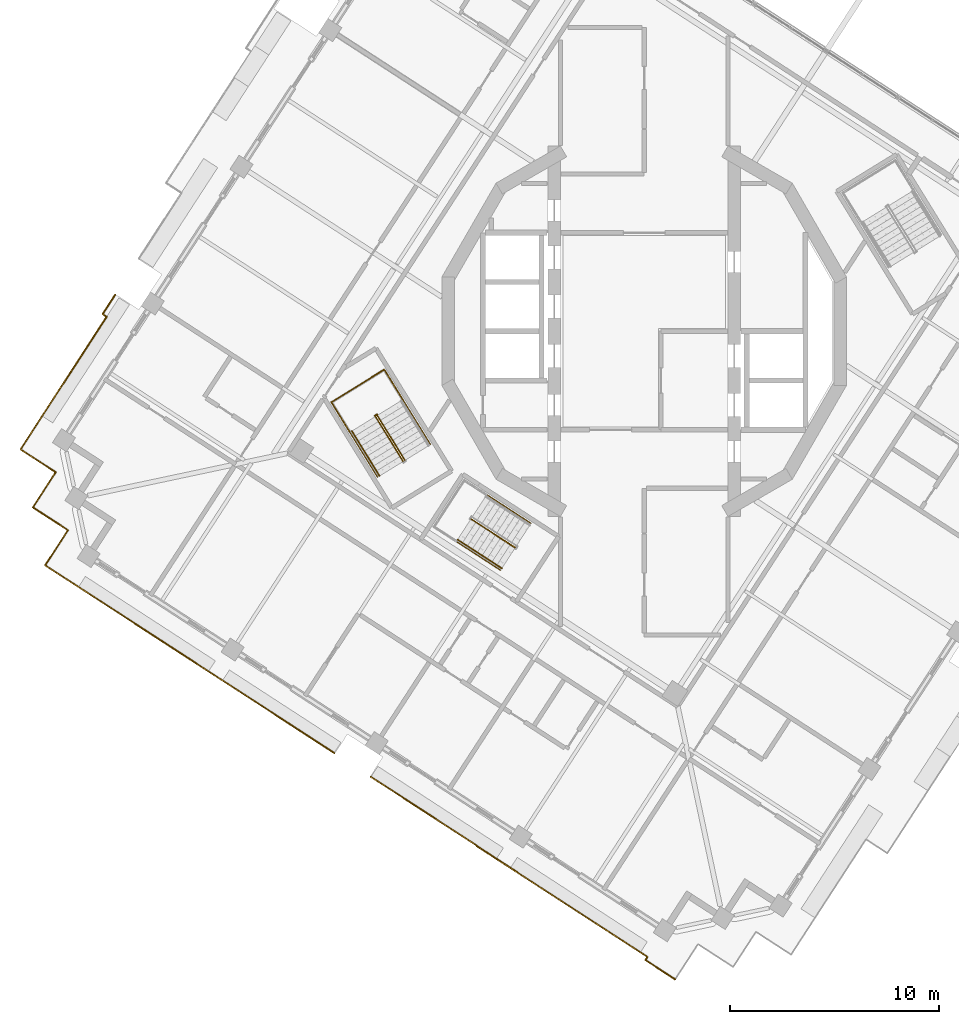
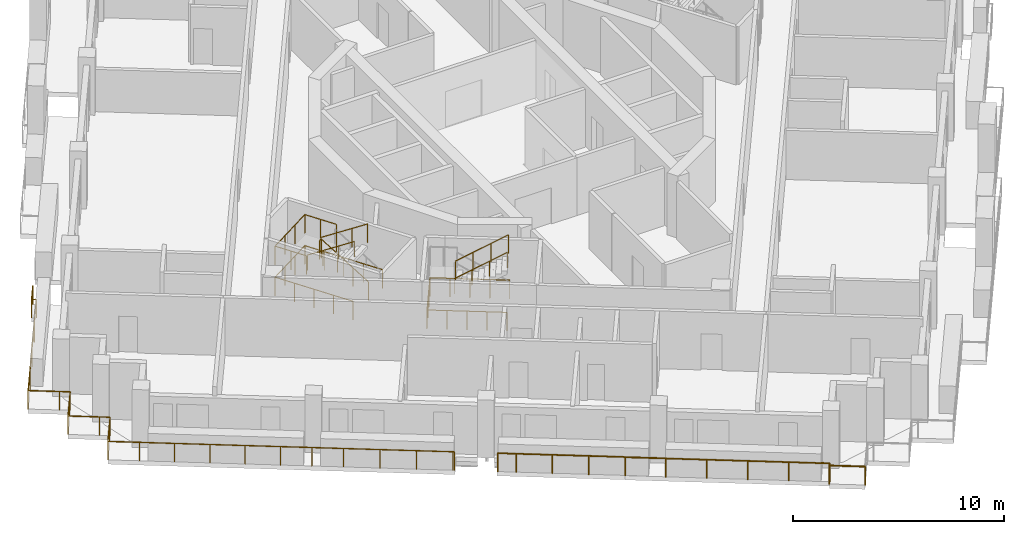
# One storey, part 13 of 17: 11 railings.
"""IFC4 building model written with IfcOpenShell, lengths in metres."""

from ifc_helpers import new_model, si_unit, direction, frame, origin, origin_2d, place, context, subcontext, project, spatial, circle, extrude, material, type_object, element, save


model = new_model("IFC4")

# Units and contexts
model_context = context("Model", 3, precision=1e-05, world=origin(), true_north=direction((0.0, 1.0)))
body_context = subcontext(model_context, "Body", "Model", "MODEL_VIEW")
ifc_project = project(units=[si_unit("LENGTHUNIT", "METRE"), si_unit("AREAUNIT", "SQUARE_METRE"), si_unit("VOLUMEUNIT", "CUBIC_METRE"), si_unit("PLANEANGLEUNIT", "RADIAN"), si_unit("MASSUNIT", "GRAM", prefix="KILO")], contexts=[model_context])

# Site, building, storey
site_placement = place(None, origin())
site = spatial("IfcSite", under=ifc_project, at=site_placement, CompositionType="ELEMENT")
building_placement = place(site_placement, origin())
building = spatial("IfcBuilding", under=site, at=building_placement, Name="Cantera Rosa Tower", CompositionType="ELEMENT")
storey_placement = place(building_placement, frame((0.0, 0.0, 279.300048828125)))
storey = spatial("IfcBuildingStorey", under=building, at=storey_placement, Name="L63", CompositionType="ELEMENT", Elevation=279.300048828125)

# Railings
ifc_material_1 = material(Name="Stainless steel and laminated glass", Category="steel")
railing_type_1 = type_object("IfcRailingType", Name="GUARD 1100", PredefinedType="BALUSTRADE", material=ifc_material_1)
railing_1_placement = place(storey_placement, frame((-28.3720703125, -7.151123046875, 0.0)))
element("IfcRailing", 1, at=railing_1_placement, inside=storey, type_object=railing_type_1, Name="GUARD L63-1", PredefinedType="BALUSTRADE", context=body_context, shape_type="SweptSolid", body=[
    extrude(circle(Radius=0.030029296875, at=origin_2d()), frame((0.0, 0.0, 1.070068359375), z_axis=(0.544627753175, 0.83867789435, 0.0), x_axis=(-0.83867789435, 0.544627753175, 0.0)), (0.0, 0.0, 1.0), 0.499755859375),
    extrude(circle(Radius=0.030029296875, at=origin_2d()), frame((0.272216796875, 0.419189453125, 1.070068359375), z_axis=(-0.838454772945, 0.544971186143, 0.0), x_axis=(-0.544971186143, -0.838454772945, 0.0)), (0.0, 0.0, 1.0), 0.5),
    extrude(circle(Radius=0.030029296875, at=origin_2d()), frame((-0.14697265625, 0.691650390625, 1.070068359375), z_axis=(-0.8387001057, 0.544593548161, 0.0), x_axis=(-0.544593548161, -0.8387001057, 0.0)), (0.0, 0.0, 1.0), 1.5),
    extrude(circle(Radius=0.030029296875, at=origin_2d()), frame((-1.405029296875, 1.508544921875, 1.070068359375), z_axis=(0.544593548161, 0.8387001057, 0.0), x_axis=(-0.8387001057, 0.544593548161, 0.0)), (0.0, 0.0, 1.0), 1.5),
    extrude(circle(Radius=0.030029296875, at=origin_2d()), frame((-0.588134765625, 2.7666015625, 1.070068359375), z_axis=(0.544663344191, 0.838654780881, 0.0), x_axis=(-0.838654780881, 0.544663344191, 0.0)), (0.0, 0.0, 1.0), 6.047119140625),
    extrude(circle(Radius=0.030029296875, at=origin_2d()), frame((2.70556640625, 7.838134765625, 1.070068359375), z_axis=(-0.838922465859, 0.544250949726, 0.0), x_axis=(-0.544250949726, -0.838922465859, 0.0)), (0.0, 0.0, 1.0), 0.23291015625),
    extrude(circle(Radius=0.030029296875, at=origin_2d()), frame((2.51025390625, 7.96484375, 1.070068359375), z_axis=(0.544544776957, 0.838731772314, 0.0), x_axis=(-0.838731772314, 0.544544776957, 0.0)), (0.0, 0.0, 1.0), 1.10302734375),
    extrude(circle(Radius=0.02490234375, at=origin_2d()), origin(), (0.0, 0.0, 1.0), 1.0400390625),
    extrude(circle(Radius=0.02490234375, at=origin_2d()), frame((0.272216796875, 0.419189453125, 0.0)), (0.0, 0.0, 1.0), 1.0400390625),
    extrude(circle(Radius=0.02490234375, at=origin_2d()), frame((-0.14697265625, 0.691650390625, 0.0)), (0.0, 0.0, 1.0), 1.0400390625),
    extrude(circle(Radius=0.02490234375, at=origin_2d()), frame((-1.405029296875, 1.508544921875, 0.0)), (0.0, 0.0, 1.0), 1.0400390625),
    extrude(circle(Radius=0.02490234375, at=origin_2d()), frame((-0.588134765625, 2.7666015625, 0.0)), (0.0, 0.0, 1.0), 1.0400390625),
    extrude(circle(Radius=0.02490234375, at=origin_2d()), frame((0.509765625, 4.45703125, 0.0)), (0.0, 0.0, 1.0), 1.0400390625),
    extrude(circle(Radius=0.02490234375, at=origin_2d()), frame((1.607666015625, 6.147705078125, 0.0)), (0.0, 0.0, 1.0), 1.0400390625),
    extrude(circle(Radius=0.02490234375, at=origin_2d()), frame((2.70556640625, 7.838134765625, 0.0)), (0.0, 0.0, 1.0), 1.0400390625),
    extrude(circle(Radius=0.02490234375, at=origin_2d()), frame((2.51025390625, 7.96484375, 0.0)), (0.0, 0.0, 1.0), 1.0400390625),
    extrude(circle(Radius=0.02490234375, at=origin_2d()), frame((3.11083984375, 8.889892578125, 0.0)), (0.0, 0.0, 1.0), 1.0400390625),
])
railing_2_placement = place(storey_placement, frame((-14.7880859375, -20.14599609375, 0.0)))
element("IfcRailing", 2, at=railing_2_placement, inside=storey, type_object=railing_type_1, Name="GUARD L63-2", PredefinedType="BALUSTRADE", context=body_context, shape_type="SweptSolid", body=[
    extrude(circle(Radius=0.030029296875, at=origin_2d()), frame((0.0, 0.0, 1.070068359375), z_axis=(-0.838443616301, 0.544988350595, 0.0), x_axis=(-0.544988350595, -0.838443616301, 0.0)), (0.0, 0.0, 1.0), 0.06982421875),
    extrude(circle(Radius=0.030029296875, at=origin_2d()), frame((-0.05859375, 0.0380859375, 1.070068359375), z_axis=(-0.838657010828, 0.544659910576, 0.0), x_axis=(-0.544659910576, -0.838657010828, 0.0)), (0.0, 0.0, 1.0), 5.2001953125),
    extrude(circle(Radius=0.030029296875, at=origin_2d()), frame((-4.419677734375, 2.870361328125, 1.070068359375), z_axis=(-0.8387001057, 0.544593548161, 0.0), x_axis=(-0.544593548161, -0.8387001057, 0.0)), (0.0, 0.0, 1.0), 3.0),
    extrude(circle(Radius=0.030029296875, at=origin_2d()), frame((-6.935791015625, 4.504150390625, 1.070068359375), z_axis=(-0.838666659313, 0.544645053734, 0.0), x_axis=(-0.544645053734, -0.838666659313, 0.0)), (0.0, 0.0, 1.0), 6.7001953125),
    extrude(circle(Radius=0.030029296875, at=origin_2d()), frame((-12.554931640625, 8.1533203125, 1.070068359375), z_axis=(-0.838651824232, 0.544667896716, 0.0), x_axis=(-0.544667896716, -0.838651824232, 0.0)), (0.0, 0.0, 1.0), 1.499755859375),
    extrude(circle(Radius=0.030029296875, at=origin_2d()), frame((-13.812744140625, 8.97021484375, 1.070068359375), z_axis=(0.544593548161, 0.8387001057, 0.0), x_axis=(-0.8387001057, 0.544593548161, 0.0)), (0.0, 0.0, 1.0), 1.5),
    extrude(circle(Radius=0.030029296875, at=origin_2d()), frame((-12.995849609375, 10.228271484375, 1.070068359375), z_axis=(0.544627753175, 0.83867789435, 0.0), x_axis=(-0.83867789435, 0.544627753175, 0.0)), (0.0, 0.0, 1.0), 0.499755859375),
    extrude(circle(Radius=0.030029296875, at=origin_2d()), frame((-12.7236328125, 10.6474609375, 1.070068359375), z_axis=(-0.838454772945, 0.544971186143, 0.0), x_axis=(-0.544971186143, -0.838454772945, 0.0)), (0.0, 0.0, 1.0), 0.5),
    extrude(circle(Radius=0.030029296875, at=origin_2d()), frame((-13.142822265625, 10.919921875, 1.070068359375), z_axis=(-0.8387001057, 0.544593548161, 0.0), x_axis=(-0.544593548161, -0.8387001057, 0.0)), (0.0, 0.0, 1.0), 1.5),
    extrude(circle(Radius=0.030029296875, at=origin_2d()), frame((-14.40087890625, 11.73681640625, 1.070068359375), z_axis=(0.544593548161, 0.8387001057, 0.0), x_axis=(-0.8387001057, 0.544593548161, 0.0)), (0.0, 0.0, 1.0), 1.5),
    extrude(circle(Radius=0.02490234375, at=origin_2d()), origin(), (0.0, 0.0, 1.0), 1.0400390625),
    extrude(circle(Radius=0.02490234375, at=origin_2d()), frame((-0.05859375, 0.0380859375, 0.0)), (0.0, 0.0, 1.0), 1.0400390625),
    extrude(circle(Radius=0.02490234375, at=origin_2d()), frame((-1.51220703125, 0.982177734375, 0.0)), (0.0, 0.0, 1.0), 1.0400390625),
    extrude(circle(Radius=0.02490234375, at=origin_2d()), frame((-2.966064453125, 1.92626953125, 0.0)), (0.0, 0.0, 1.0), 1.0400390625),
    extrude(circle(Radius=0.02490234375, at=origin_2d()), frame((-4.419677734375, 2.870361328125, 0.0)), (0.0, 0.0, 1.0), 1.0400390625),
    extrude(circle(Radius=0.02490234375, at=origin_2d()), frame((-5.677734375, 3.687255859375, 0.0)), (0.0, 0.0, 1.0), 1.0400390625),
    extrude(circle(Radius=0.02490234375, at=origin_2d()), frame((-6.935791015625, 4.504150390625, 0.0)), (0.0, 0.0, 1.0), 1.0400390625),
    extrude(circle(Radius=0.02490234375, at=origin_2d()), frame((-8.340576171875, 5.41650390625, 0.0)), (0.0, 0.0, 1.0), 1.0400390625),
    extrude(circle(Radius=0.02490234375, at=origin_2d()), frame((-9.745361328125, 6.32861328125, 0.0)), (0.0, 0.0, 1.0), 1.0400390625),
    extrude(circle(Radius=0.02490234375, at=origin_2d()), frame((-11.150146484375, 7.240966796875, 0.0)), (0.0, 0.0, 1.0), 1.0400390625),
    extrude(circle(Radius=0.02490234375, at=origin_2d()), frame((-12.554931640625, 8.1533203125, 0.0)), (0.0, 0.0, 1.0), 1.0400390625),
    extrude(circle(Radius=0.02490234375, at=origin_2d()), frame((-13.812744140625, 8.97021484375, 0.0)), (0.0, 0.0, 1.0), 1.0400390625),
    extrude(circle(Radius=0.02490234375, at=origin_2d()), frame((-12.995849609375, 10.228271484375, 0.0)), (0.0, 0.0, 1.0), 1.0400390625),
    extrude(circle(Radius=0.02490234375, at=origin_2d()), frame((-12.7236328125, 10.6474609375, 0.0)), (0.0, 0.0, 1.0), 1.0400390625),
    extrude(circle(Radius=0.02490234375, at=origin_2d()), frame((-13.142822265625, 10.919921875, 0.0)), (0.0, 0.0, 1.0), 1.0400390625),
    extrude(circle(Radius=0.02490234375, at=origin_2d()), frame((-14.40087890625, 11.73681640625, 0.0)), (0.0, 0.0, 1.0), 1.0400390625),
    extrude(circle(Radius=0.02490234375, at=origin_2d()), frame((-13.583984375, 12.994873046875, 0.0)), (0.0, 0.0, 1.0), 1.0400390625),
])
railing_3_placement = place(storey_placement, frame((1.482177734375, -30.950439453125, 0.0)))
element("IfcRailing", 3, at=railing_3_placement, inside=storey, type_object=railing_type_1, Name="GUARD L63-5", PredefinedType="BALUSTRADE", context=body_context, shape_type="SweptSolid", body=[
    extrude(circle(Radius=0.030029296875, at=origin_2d()), frame((0.0, 0.0, 1.070068359375), z_axis=(-0.838663412569, 0.54465005317, 0.0), x_axis=(-0.54465005317, -0.838663412569, 0.0)), (0.0, 0.0, 1.0), 1.69970703125),
    extrude(circle(Radius=0.030029296875, at=origin_2d()), frame((-1.425537109375, 0.92578125, 1.070068359375), z_axis=(0.544370967285, 0.838844592268, 0.0), x_axis=(-0.838844592268, 0.544370967285, 0.0)), (0.0, 0.0, 1.0), 0.1806640625),
    extrude(circle(Radius=0.030029296875, at=origin_2d()), frame((-1.3271484375, 1.077392578125, 1.070068359375), z_axis=(-0.838675395149, 0.544631601702, 0.0), x_axis=(-0.544631601702, -0.838675395149, 0.0)), (0.0, 0.0, 1.0), 9.71923828125),
    extrude(circle(Radius=0.030029296875, at=origin_2d()), frame((-9.478515625, 6.370849609375, 1.070068359375), z_axis=(0.545880477365, 0.837863058281, 0.0), x_axis=(-0.837863058281, 0.545880477365, 0.0)), (0.0, 0.0, 1.0), 0.019287109375),
    extrude(circle(Radius=0.030029296875, at=origin_2d()), frame((-9.468017578125, 6.386962890625, 1.070068359375), z_axis=(-0.838659954682, 0.54465537766, 0.0), x_axis=(-0.54465537766, -0.838659954682, 0.0)), (0.0, 0.0, 1.0), 5.180908203125),
    extrude(circle(Radius=0.030029296875, at=origin_2d()), frame((-13.81298828125, 9.208740234375, 1.070068359375), z_axis=(-0.838725681888, 0.544554157584, 0.0), x_axis=(-0.544554157584, -0.838725681888, 0.0)), (0.0, 0.0, 1.0), 0.869873046875),
    extrude(circle(Radius=0.02490234375, at=origin_2d()), origin(), (0.0, 0.0, 1.0), 1.0400390625),
    extrude(circle(Radius=0.02490234375, at=origin_2d()), frame((-1.425537109375, 0.92578125, 0.0)), (0.0, 0.0, 1.0), 1.0400390625),
    extrude(circle(Radius=0.02490234375, at=origin_2d()), frame((-1.3271484375, 1.077392578125, 0.0)), (0.0, 0.0, 1.0), 1.0400390625),
    extrude(circle(Radius=0.02490234375, at=origin_2d()), frame((-2.95751953125, 2.135986328125, 0.0)), (0.0, 0.0, 1.0), 1.0400390625),
    extrude(circle(Radius=0.02490234375, at=origin_2d()), frame((-4.587646484375, 3.19482421875, 0.0)), (0.0, 0.0, 1.0), 1.0400390625),
    extrude(circle(Radius=0.02490234375, at=origin_2d()), frame((-6.218017578125, 4.25341796875, 0.0)), (0.0, 0.0, 1.0), 1.0400390625),
    extrude(circle(Radius=0.02490234375, at=origin_2d()), frame((-7.84814453125, 5.312255859375, 0.0)), (0.0, 0.0, 1.0), 1.0400390625),
    extrude(circle(Radius=0.02490234375, at=origin_2d()), frame((-9.478515625, 6.370849609375, 0.0)), (0.0, 0.0, 1.0), 1.0400390625),
    extrude(circle(Radius=0.02490234375, at=origin_2d()), frame((-9.468017578125, 6.386962890625, 0.0)), (0.0, 0.0, 1.0), 1.0400390625),
    extrude(circle(Radius=0.02490234375, at=origin_2d()), frame((-10.916259765625, 7.32763671875, 0.0)), (0.0, 0.0, 1.0), 1.0400390625),
    extrude(circle(Radius=0.02490234375, at=origin_2d()), frame((-12.36474609375, 8.26806640625, 0.0)), (0.0, 0.0, 1.0), 1.0400390625),
    extrude(circle(Radius=0.02490234375, at=origin_2d()), frame((-13.81298828125, 9.208740234375, 0.0)), (0.0, 0.0, 1.0), 1.0400390625),
    extrude(circle(Radius=0.02490234375, at=origin_2d()), frame((-14.54248046875, 9.682373046875, 0.0)), (0.0, 0.0, 1.0), 1.0400390625),
])
ifc_material_2 = material(Name="Steel S355J2 (EN 10025-2)", Category="steel")
railing_type_2 = type_object("IfcRailingType", Name="STAIR GUARD 1100", PredefinedType="GUARDRAIL", material=ifc_material_2)
railing_4_placement = place(storey_placement, frame((-11.42333984375, -6.165771484375, 0.179931640625)))
element("IfcRailing", 4, at=railing_4_placement, inside=storey, type_object=railing_type_2, Name="L63 ST-52 stair guard 1", PredefinedType="GUARDRAIL", context=body_context, shape_type="SweptSolid", body=[
    extrude(circle(Radius=0.02392578125, at=origin_2d()), frame((0.0, 0.0, 1.076171875), z_axis=(-0.441609067481, 0.715913574058, 0.540785711718), x_axis=(-0.851102330005, -0.524999832248, 0.0)), (0.0, 0.0, 1.0), 2.995849609375),
    extrude(circle(Radius=0.02392578125, at=origin_2d()), frame((-1.322998046875, 2.144775390625, 2.6962890625), z_axis=(-0.073711968402, 0.997279572494, 0.0), x_axis=(-0.997279572494, -0.073711968402, 0.0)), (0.0, 0.0, 1.0), 0.056396484375),
    extrude(circle(Radius=0.02392578125, at=origin_2d()), frame((-1.3271484375, 2.200927734375, 2.6962890625), z_axis=(-0.851546489876, -0.524279100842, 0.0), x_axis=(0.524279100842, -0.851546489876, 0.0)), (0.0, 0.0, 1.0), 0.14990234375),
    extrude(circle(Radius=0.02099609375, at=origin_2d()), origin(), (0.0, 0.0, 1.0), 1.052001953125),
    extrude(circle(Radius=0.02099609375, at=origin_2d()), frame((-0.44091796875, 0.71484375, 0.5400390625)), (0.0, 0.0, 1.0), 1.052001953125),
    extrude(circle(Radius=0.02099609375, at=origin_2d()), frame((-0.882080078125, 1.429931640625, 1.080078125)), (0.0, 0.0, 1.0), 1.052001953125),
    extrude(circle(Radius=0.02099609375, at=origin_2d()), frame((-1.322998046875, 2.144775390625, 1.6201171875)), (0.0, 0.0, 1.0), 1.052001953125),
    extrude(circle(Radius=0.02099609375, at=origin_2d()), frame((-1.3271484375, 2.200927734375, 1.6201171875)), (0.0, 0.0, 1.0), 1.052001953125),
    extrude(circle(Radius=0.02099609375, at=origin_2d()), frame((-1.454833984375, 2.122314453125, 1.6201171875)), (0.0, 0.0, 1.0), 1.052001953125),
])
railing_5_placement = place(storey_placement, frame((-12.82958984375, -4.072509765625, 1.97998046875)))
element("IfcRailing", 5, at=railing_5_placement, inside=storey, type_object=railing_type_2, Name="L63 ST-52 stair guard 2", PredefinedType="GUARDRAIL", context=body_context, shape_type="SweptSolid", body=[
    extrude(circle(Radius=0.02392578125, at=origin_2d()), frame((0.0, 0.0, 1.076171875), z_axis=(0.441562923896, -0.715970890813, 0.540747508315), x_axis=(0.851145618652, 0.524929648476, 0.0)), (0.0, 0.0, 1.0), 2.99560546875),
    extrude(circle(Radius=0.02099609375, at=origin_2d()), origin(), (0.0, 0.0, 1.0), 1.052001953125),
    extrude(circle(Radius=0.02099609375, at=origin_2d()), frame((0.44091796875, -0.71484375, 0.5400390625)), (0.0, 0.0, 1.0), 1.052001953125),
    extrude(circle(Radius=0.02099609375, at=origin_2d()), frame((0.8818359375, -1.429931640625, 1.079833984375)), (0.0, 0.0, 1.0), 1.052001953125),
    extrude(circle(Radius=0.02099609375, at=origin_2d()), frame((1.32275390625, -2.144775390625, 1.619873046875)), (0.0, 0.0, 1.0), 1.052001953125),
])
railing_6_placement = place(storey_placement, frame((-10.20751953125, -5.40185546875, 0.0)))
element("IfcRailing", 6, at=railing_6_placement, inside=storey, type_object=railing_type_2, Name="L63 ST-52 stair guard 4", PredefinedType="GUARDRAIL", context=body_context, shape_type="SweptSolid", body=[
    extrude(circle(Radius=0.02392578125, at=origin_2d()), frame((0.0, 0.0, 1.076171875), z_axis=(-0.524976478809, 0.851116735059, 0.0), x_axis=(-0.851116735059, -0.524976478809, 0.0)), (0.0, 0.0, 1.0), 4.197998046875),
    extrude(circle(Radius=0.02392578125, at=origin_2d()), frame((-2.203857421875, 3.572998046875, 1.076171875), z_axis=(-0.851132917336, -0.524950242429, 0.0), x_axis=(0.524950242429, -0.851132917336, 0.0)), (0.0, 0.0, 1.0), 2.969970703125),
    extrude(circle(Radius=0.02392578125, at=origin_2d()), frame((-4.731689453125, 2.013916015625, 1.076171875), z_axis=(0.524976478809, -0.851116735059, 0.0), x_axis=(0.851116735059, 0.524976478809, 0.0)), (0.0, 0.0, 1.0), 4.197998046875),
    extrude(circle(Radius=0.02099609375, at=origin_2d()), origin(), (0.0, 0.0, 1.0), 1.052001953125),
    extrude(circle(Radius=0.02099609375, at=origin_2d()), frame((-0.551025390625, 0.893310546875, 0.0)), (0.0, 0.0, 1.0), 1.052001953125),
    extrude(circle(Radius=0.02099609375, at=origin_2d()), frame((-1.10205078125, 1.78662109375, 0.0)), (0.0, 0.0, 1.0), 1.052001953125),
    extrude(circle(Radius=0.02099609375, at=origin_2d()), frame((-1.65283203125, 2.6796875, 0.0)), (0.0, 0.0, 1.0), 1.052001953125),
    extrude(circle(Radius=0.02099609375, at=origin_2d()), frame((-2.203857421875, 3.572998046875, 0.0)), (0.0, 0.0, 1.0), 1.052001953125),
    extrude(circle(Radius=0.02099609375, at=origin_2d()), frame((-3.04638671875, 3.05322265625, 0.0)), (0.0, 0.0, 1.0), 1.052001953125),
    extrude(circle(Radius=0.02099609375, at=origin_2d()), frame((-3.88916015625, 2.53369140625, 0.0)), (0.0, 0.0, 1.0), 1.052001953125),
    extrude(circle(Radius=0.02099609375, at=origin_2d()), frame((-4.731689453125, 2.013916015625, 0.0)), (0.0, 0.0, 1.0), 1.052001953125),
    extrude(circle(Radius=0.02099609375, at=origin_2d()), frame((-4.1806640625, 1.12060546875, 0.0)), (0.0, 0.0, 1.0), 1.052001953125),
    extrude(circle(Radius=0.02099609375, at=origin_2d()), frame((-3.6298828125, 0.2275390625, 0.0)), (0.0, 0.0, 1.0), 1.052001953125),
    extrude(circle(Radius=0.02099609375, at=origin_2d()), frame((-3.078857421875, -0.665771484375, 0.0)), (0.0, 0.0, 1.0), 1.052001953125),
    extrude(circle(Radius=0.02099609375, at=origin_2d()), frame((-2.52783203125, -1.55908203125, 0.0)), (0.0, 0.0, 1.0), 1.052001953125),
])
railing_7_placement = place(storey_placement, frame((-11.517822265625, -3.27734375, 1.800048828125)))
element("IfcRailing", 7, at=railing_7_placement, inside=storey, type_object=railing_type_2, Name="L63 ST-52 stair guard 5", PredefinedType="GUARDRAIL", context=body_context, shape_type="SweptSolid", body=[
    extrude(circle(Radius=0.02392578125, at=origin_2d()), frame((0.0, 0.0, 1.076171875), z_axis=(-0.525025534833, 0.851086474909, 0.0), x_axis=(-0.851086474909, -0.525025534833, 0.0)), (0.0, 0.0, 1.0), 1.701904296875),
    extrude(circle(Radius=0.02392578125, at=origin_2d()), frame((-0.8935546875, 1.448486328125, 1.076171875), z_axis=(-0.851132917336, -0.524950242429, 0.0), x_axis=(0.524950242429, -0.851132917336, 0.0)), (0.0, 0.0, 1.0), 2.969970703125),
    extrude(circle(Radius=0.02392578125, at=origin_2d()), frame((-3.42138671875, -0.110595703125, 1.076171875), z_axis=(0.524961441845, -0.851126009811, 0.0), x_axis=(0.851126009811, 0.524961441845, 0.0)), (0.0, 0.0, 1.0), 1.7021484375),
    extrude(circle(Radius=0.02099609375, at=origin_2d()), origin(), (0.0, 0.0, 1.0), 1.052001953125),
    extrude(circle(Radius=0.02099609375, at=origin_2d()), frame((-0.44677734375, 0.72412109375, 0.0)), (0.0, 0.0, 1.0), 1.052001953125),
    extrude(circle(Radius=0.02099609375, at=origin_2d()), frame((-0.8935546875, 1.448486328125, 0.0)), (0.0, 0.0, 1.0), 1.052001953125),
    extrude(circle(Radius=0.02099609375, at=origin_2d()), frame((-1.736083984375, 0.9287109375, 0.0)), (0.0, 0.0, 1.0), 1.052001953125),
    extrude(circle(Radius=0.02099609375, at=origin_2d()), frame((-2.578857421875, 0.4091796875, 0.0)), (0.0, 0.0, 1.0), 1.052001953125),
    extrude(circle(Radius=0.02099609375, at=origin_2d()), frame((-3.42138671875, -0.110595703125, 0.0)), (0.0, 0.0, 1.0), 1.052001953125),
    extrude(circle(Radius=0.02099609375, at=origin_2d()), frame((-2.974609375, -0.8349609375, 0.0)), (0.0, 0.0, 1.0), 1.052001953125),
    extrude(circle(Radius=0.02099609375, at=origin_2d()), frame((-2.52783203125, -1.559326171875, 0.0)), (0.0, 0.0, 1.0), 1.052001953125),
])
railing_8_placement = place(storey_placement, frame((-8.270751953125, -8.963134765625, 1.97998046875)))
element("IfcRailing", 8, at=railing_8_placement, inside=storey, type_object=railing_type_2, Name="L63 ST-53 stair guard 2", PredefinedType="GUARDRAIL", context=body_context, shape_type="SweptSolid", body=[
    extrude(circle(Radius=0.02392578125, at=origin_2d()), frame((0.0, 0.0, 1.076171875), z_axis=(0.705478509026, -0.458120921815, 0.540763621463), x_axis=(0.54462048956, 0.838682611213, 0.0)), (0.0, 0.0, 1.0), 2.99560546875),
    extrude(circle(Radius=0.02099609375, at=origin_2d()), origin(), (0.0, 0.0, 1.0), 1.052001953125),
    extrude(circle(Radius=0.02099609375, at=origin_2d()), frame((0.704345703125, -0.45751953125, 0.5400390625)), (0.0, 0.0, 1.0), 1.052001953125),
    extrude(circle(Radius=0.02099609375, at=origin_2d()), frame((1.408935546875, -0.914794921875, 1.079833984375)), (0.0, 0.0, 1.0), 1.052001953125),
    extrude(circle(Radius=0.02099609375, at=origin_2d()), frame((2.11328125, -1.372314453125, 1.619873046875)), (0.0, 0.0, 1.0), 1.052001953125),
])
railing_9_placement = place(storey_placement, frame((-5.41357421875, -9.168212890625, 0.0)))
element("IfcRailing", 9, at=railing_9_placement, inside=storey, type_object=railing_type_2, Name="L63 ST-53 stair guard 4", PredefinedType="GUARDRAIL", context=body_context, shape_type="SweptSolid", body=[
    extrude(circle(Radius=0.02392578125, at=origin_2d()), frame((0.0, 0.0, 1.076171875), z_axis=(-0.838665308336, 0.544647134018, 0.0), x_axis=(-0.544647134018, -0.838665308336, 0.0)), (0.0, 0.0, 1.0), 3.798095703125),
    extrude(circle(Radius=0.02392578125, at=origin_2d()), frame((-3.185302734375, 2.068603515625, 1.076171875), z_axis=(-0.544679779991, -0.838644106442, 0.0), x_axis=(0.838644106442, -0.544679779991, 0.0)), (0.0, 0.0, 1.0), 2.670166015625),
    extrude(circle(Radius=0.02392578125, at=origin_2d()), frame((-4.6396484375, -0.170654296875, 1.076171875), z_axis=(0.838665308336, -0.544647134018, 0.0), x_axis=(0.544647134018, 0.838665308336, 0.0)), (0.0, 0.0, 1.0), 3.798095703125),
    extrude(circle(Radius=0.02099609375, at=origin_2d()), origin(), (0.0, 0.0, 1.0), 1.052001953125),
    extrude(circle(Radius=0.02099609375, at=origin_2d()), frame((-0.79638671875, 0.51708984375, 0.0)), (0.0, 0.0, 1.0), 1.052001953125),
    extrude(circle(Radius=0.02099609375, at=origin_2d()), frame((-1.5927734375, 1.0341796875, 0.0)), (0.0, 0.0, 1.0), 1.052001953125),
    extrude(circle(Radius=0.02099609375, at=origin_2d()), frame((-2.388916015625, 1.551513671875, 0.0)), (0.0, 0.0, 1.0), 1.052001953125),
    extrude(circle(Radius=0.02099609375, at=origin_2d()), frame((-3.185302734375, 2.068603515625, 0.0)), (0.0, 0.0, 1.0), 1.052001953125),
    extrude(circle(Radius=0.02099609375, at=origin_2d()), frame((-3.670166015625, 1.322265625, 0.0)), (0.0, 0.0, 1.0), 1.052001953125),
    extrude(circle(Radius=0.02099609375, at=origin_2d()), frame((-4.15478515625, 0.57568359375, 0.0)), (0.0, 0.0, 1.0), 1.052001953125),
    extrude(circle(Radius=0.02099609375, at=origin_2d()), frame((-4.6396484375, -0.170654296875, 0.0)), (0.0, 0.0, 1.0), 1.052001953125),
    extrude(circle(Radius=0.02099609375, at=origin_2d()), frame((-3.84326171875, -0.687744140625, 0.0)), (0.0, 0.0, 1.0), 1.052001953125),
    extrude(circle(Radius=0.02099609375, at=origin_2d()), frame((-3.046875, -1.205078125, 0.0)), (0.0, 0.0, 1.0), 1.052001953125),
    extrude(circle(Radius=0.02099609375, at=origin_2d()), frame((-2.250732421875, -1.72216796875, 0.0)), (0.0, 0.0, 1.0), 1.052001953125),
    extrude(circle(Radius=0.02099609375, at=origin_2d()), frame((-1.454345703125, -2.2392578125, 0.0)), (0.0, 0.0, 1.0), 1.052001953125),
])
ifc_material_3 = material(Name="Steel S355J2 (EN 10025-2)", Category="steel")
railing_type_3 = type_object("IfcRailingType", Name="STAIR HANDRAIL 900", PredefinedType="HANDRAIL", material=ifc_material_3)
railing_10_placement = place(storey_placement, frame((-13.958251953125, -4.7685546875, 1.97998046875)))
element("IfcRailing", 10, at=railing_10_placement, inside=storey, type_object=railing_type_3, Name="L63 ST-52 stair handrail 2", PredefinedType="HANDRAIL", context=body_context, shape_type="SweptSolid", body=[
    extrude(circle(Radius=0.02392578125, at=origin_2d()), frame((0.0, 0.0, 0.8759765625), z_axis=(0.441628529057, -0.715945124149, 0.540728047664), x_axis=(0.851102330005, 0.524999832248, 0.0)), (0.0, 0.0, 1.0), 2.99560546875),
    extrude(circle(Radius=0.02099609375, at=origin_2d()), origin(), (0.0, 0.0, 1.0), 0.851806640625),
    extrude(circle(Radius=0.02099609375, at=origin_2d()), frame((0.44091796875, -0.71484375, 0.5400390625)), (0.0, 0.0, 1.0), 0.851806640625),
    extrude(circle(Radius=0.02099609375, at=origin_2d()), frame((0.882080078125, -1.429931640625, 1.079833984375)), (0.0, 0.0, 1.0), 0.851806640625),
    extrude(circle(Radius=0.02099609375, at=origin_2d()), frame((1.322998046875, -2.144775390625, 1.619873046875)), (0.0, 0.0, 1.0), 0.851806640625),
])
railing_11_placement = place(storey_placement, frame((-8.911376953125, -9.94921875, 1.97998046875)))
element("IfcRailing", 11, at=railing_11_placement, inside=storey, type_object=railing_type_3, Name="L63 ST-53 stair handrail 2", PredefinedType="HANDRAIL", context=body_context, shape_type="SweptSolid", body=[
    extrude(circle(Radius=0.02392578125, at=origin_2d()), frame((0.0, 0.0, 0.8759765625), z_axis=(0.705493103535, -0.458158972863, 0.540712341684), x_axis=(0.544644381691, 0.838667095749, 0.0)), (0.0, 0.0, 1.0), 2.995849609375),
    extrude(circle(Radius=0.02099609375, at=origin_2d()), origin(), (0.0, 0.0, 1.0), 0.851806640625),
    extrude(circle(Radius=0.02099609375, at=origin_2d()), frame((0.70458984375, -0.45751953125, 0.5400390625)), (0.0, 0.0, 1.0), 0.851806640625),
    extrude(circle(Radius=0.02099609375, at=origin_2d()), frame((1.408935546875, -0.9150390625, 1.079833984375)), (0.0, 0.0, 1.0), 0.851806640625),
    extrude(circle(Radius=0.02099609375, at=origin_2d()), frame((2.113525390625, -1.37255859375, 1.619873046875)), (0.0, 0.0, 1.0), 0.851806640625),
])

save(model, "model.ifc")
